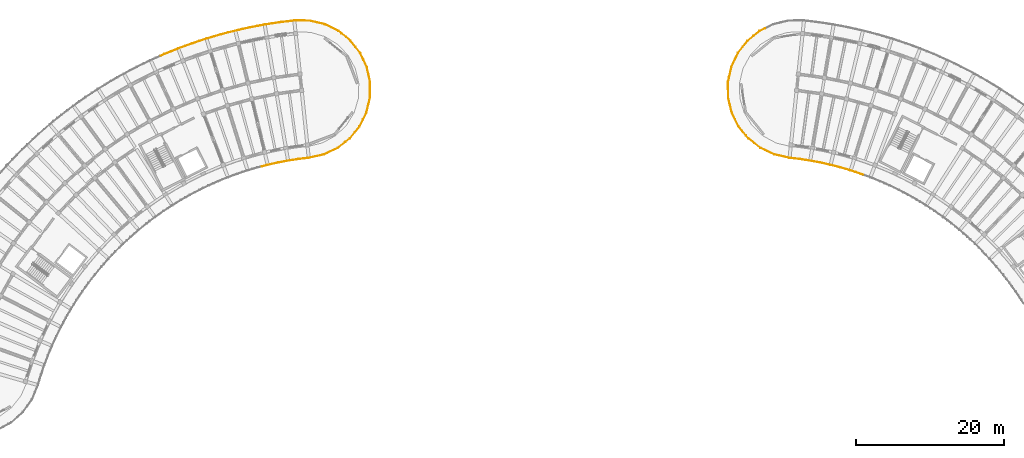
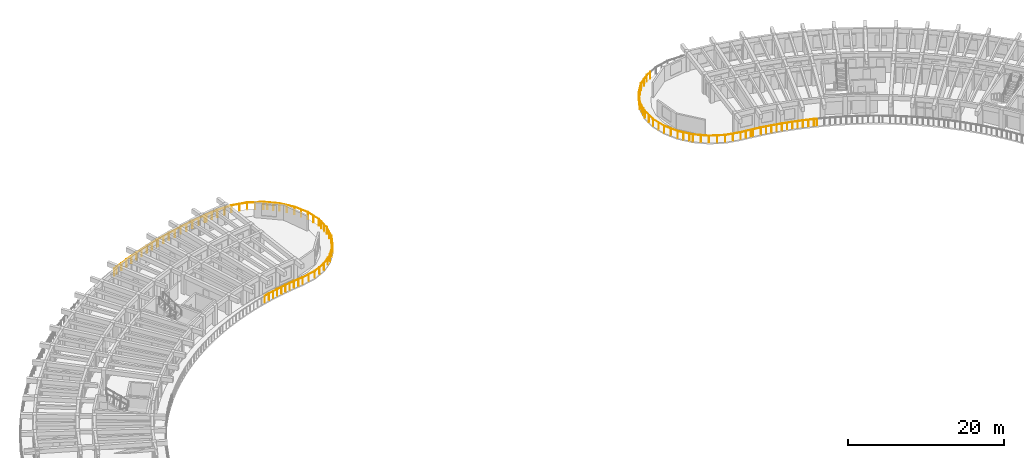
# One storey, part 73 of 81: 11 railings.
"""IFC4 building model written with IfcOpenShell, lengths in metres."""

from ifc_helpers import new_model, si_unit, direction, frame, origin, origin_2d, place, context, subcontext, project, spatial, circle, extrude, material, type_object, element, save


model = new_model("IFC4")

# Units and contexts
model_context = context("Model", 3, precision=1e-05, world=origin(), true_north=direction((0.0, 1.0)))
body_context = subcontext(model_context, "Body", "Model", "MODEL_VIEW")
ifc_project = project(units=[si_unit("LENGTHUNIT", "METRE"), si_unit("AREAUNIT", "SQUARE_METRE"), si_unit("VOLUMEUNIT", "CUBIC_METRE"), si_unit("PLANEANGLEUNIT", "RADIAN"), si_unit("MASSUNIT", "GRAM", prefix="KILO")], contexts=[model_context])

# Site, building, storey
site_placement = place(None, origin())
site = spatial("IfcSite", under=ifc_project, at=site_placement, CompositionType="ELEMENT")
building_placement = place(site_placement, origin())
building = spatial("IfcBuilding", under=site, at=building_placement, Name="Tanwirah Colonnade Gardens", CompositionType="ELEMENT")
storey_placement = place(building_placement, frame((0.0, 0.0, 18.919921875)))
storey = spatial("IfcBuildingStorey", under=building, at=storey_placement, Name="L05", CompositionType="ELEMENT", Elevation=18.919921875)

# Railings
ifc_material = material(Name="Precast concrete C40/50", Category="concrete")
railing_type = type_object("IfcRailingType", Name="BAL-EXT112", PredefinedType="BALUSTRADE", material=ifc_material)
railing_1_placement = place(storey_placement, frame((62.57666015625, 103.095947265625, 0.0)))
element("IfcRailing", 1, at=railing_1_placement, inside=storey, type_object=railing_type, Name="Block A L05 Balcony Ribbon Balustrade 1", PredefinedType="BALUSTRADE", context=body_context, shape_type="SweptSolid", body=[
    extrude(circle(Radius=0.02392578125, at=origin_2d()), frame((-0.030517578125, -0.0068359375, 1.09619140625), z_axis=(-0.976545428659, -0.215311462222, 0.0), x_axis=(0.215311462222, -0.976545428659, 0.0)), (0.0, 0.0, 1.0), 2.029541015625),
    extrude(circle(Radius=0.02392578125, at=origin_2d()), frame((-2.073974609375, -0.4541015625, 1.09619140625), z_axis=(-0.99267751715, -0.120794647829, 0.0), x_axis=(0.120794647829, -0.99267751715, 0.0)), (0.0, 0.0, 1.0), 1.338134765625),
    extrude(circle(Radius=0.02392578125, at=origin_2d()), frame((-3.466796875, -0.625, 1.09619140625), z_axis=(-0.988147546762, -0.153507087226, 0.0), x_axis=(0.153507087226, -0.988147546762, 0.0)), (0.0, 0.0, 1.0), 1.341796875),
    extrude(circle(Radius=0.02392578125, at=origin_2d()), frame((-4.85693359375, -0.842041015625, 1.09619140625), z_axis=(-0.982547926195, -0.186009603862, 0.0), x_axis=(0.186009603862, -0.982547926195, 0.0)), (0.0, 0.0, 1.0), 1.341796875),
    extrude(circle(Radius=0.02392578125, at=origin_2d()), frame((-6.239013671875, -1.104736328125, 1.09619140625), z_axis=(-0.975875211082, -0.218329046156, 0.0), x_axis=(0.218329046156, -0.975875211082, 0.0)), (0.0, 0.0, 1.0), 1.342041015625),
    extrude(circle(Radius=0.02392578125, at=origin_2d()), frame((-7.61181640625, -1.4130859375, 1.09619140625), z_axis=(-0.968150815957, -0.25036772468, 0.0), x_axis=(0.25036772468, -0.968150815957, 0.0)), (0.0, 0.0, 1.0), 0.721435546875),
    extrude(circle(Radius=0.02099609375, at=origin_2d()), origin(), (0.0, 0.0, 1.0), 1.069091796875),
    extrude(circle(Radius=0.02099609375, at=origin_2d()), frame((-1.021484375, -0.22509765625, 0.0)), (0.0, 0.0, 1.0), 1.069091796875),
    extrude(circle(Radius=0.02099609375, at=origin_2d()), frame((-2.04296875, -0.450439453125, 0.0)), (0.0, 0.0, 1.0), 1.069091796875),
    extrude(circle(Radius=0.02099609375, at=origin_2d()), frame((-2.73828125, -0.53515625, 0.0)), (0.0, 0.0, 1.0), 1.069091796875),
    extrude(circle(Radius=0.02099609375, at=origin_2d()), frame((-3.433349609375, -0.61962890625, 0.0)), (0.0, 0.0, 1.0), 1.069091796875),
    extrude(circle(Radius=0.02099609375, at=origin_2d()), frame((-4.129638671875, -0.72802734375, 0.0)), (0.0, 0.0, 1.0), 1.069091796875),
    extrude(circle(Radius=0.02099609375, at=origin_2d()), frame((-4.823486328125, -0.835693359375, 0.0)), (0.0, 0.0, 1.0), 1.069091796875),
    extrude(circle(Radius=0.02099609375, at=origin_2d()), frame((-5.51611328125, -0.966796875, 0.0)), (0.0, 0.0, 1.0), 1.069091796875),
    extrude(circle(Radius=0.02099609375, at=origin_2d()), frame((-6.2060546875, -1.097412109375, 0.0)), (0.0, 0.0, 1.0), 1.069091796875),
    extrude(circle(Radius=0.02099609375, at=origin_2d()), frame((-6.893798828125, -1.251220703125, 0.0)), (0.0, 0.0, 1.0), 1.069091796875),
    extrude(circle(Radius=0.02099609375, at=origin_2d()), frame((-7.5791015625, -1.404541015625, 0.0)), (0.0, 0.0, 1.0), 1.069091796875),
    extrude(circle(Radius=0.02099609375, at=origin_2d()), frame((-8.340576171875, -1.6015625, 0.0)), (0.0, 0.0, 1.0), 1.069091796875),
])
railing_2_placement = place(storey_placement, frame((40.5517578125, 116.428466796875, 0.0)))
element("IfcRailing", 2, at=railing_2_placement, inside=storey, type_object=railing_type, Name="Block A L05 Balcony Ribbon Balustrade 17", PredefinedType="BALUSTRADE", context=body_context, shape_type="SweptSolid", body=[
    extrude(circle(Radius=0.02392578125, at=origin_2d()), frame((0.028564453125, 0.0126953125, 1.09619140625), z_axis=(0.914037447664, 0.405629811857, 0.0), x_axis=(-0.405629811857, 0.914037447664, 0.0)), (0.0, 0.0, 1.0), 0.471923828125),
    extrude(circle(Radius=0.02392578125, at=origin_2d()), frame((0.517578125, 0.228515625, 1.09619140625), z_axis=(0.926784720453, 0.375592973757, 0.0), x_axis=(-0.375592973757, 0.926784720453, 0.0)), (0.0, 0.0, 1.0), 1.958984375),
    extrude(circle(Radius=0.02392578125, at=origin_2d()), frame((2.391357421875, 0.98681640625, 1.09619140625), z_axis=(0.938723993457, 0.344669789956, 0.0), x_axis=(-0.344669789956, 0.938723993457, 0.0)), (0.0, 0.0, 1.0), 1.958984375),
    extrude(circle(Radius=0.02392578125, at=origin_2d()), frame((4.28955078125, 1.6826171875, 1.09619140625), z_axis=(0.949537316482, 0.313654084317, 0.0), x_axis=(-0.313654084317, 0.949537316482, 0.0)), (0.0, 0.0, 1.0), 1.958984375),
    extrude(circle(Radius=0.02392578125, at=origin_2d()), frame((6.209228515625, 2.315673828125, 1.09619140625), z_axis=(0.9593675466, 0.282159370801, 0.0), x_axis=(-0.282159370801, 0.9593675466, 0.0)), (0.0, 0.0, 1.0), 1.83837890625),
    extrude(circle(Radius=0.02099609375, at=origin_2d()), origin(), (0.0, 0.0, 1.0), 1.069091796875),
    extrude(circle(Radius=0.02099609375, at=origin_2d()), frame((0.488525390625, 0.216796875, 0.0)), (0.0, 0.0, 1.0), 1.069091796875),
    extrude(circle(Radius=0.02099609375, at=origin_2d()), frame((1.42529296875, 0.596435546875, 0.0)), (0.0, 0.0, 1.0), 1.069091796875),
    extrude(circle(Radius=0.02099609375, at=origin_2d()), frame((2.362060546875, 0.97607421875, 0.0)), (0.0, 0.0, 1.0), 1.069091796875),
    extrude(circle(Radius=0.02099609375, at=origin_2d()), frame((3.31103515625, 1.324462890625, 0.0)), (0.0, 0.0, 1.0), 1.069091796875),
    extrude(circle(Radius=0.02099609375, at=origin_2d()), frame((4.259765625, 1.6728515625, 0.0)), (0.0, 0.0, 1.0), 1.069091796875),
    extrude(circle(Radius=0.02099609375, at=origin_2d()), frame((5.219482421875, 1.98974609375, 0.0)), (0.0, 0.0, 1.0), 1.069091796875),
    extrude(circle(Radius=0.02099609375, at=origin_2d()), frame((6.17919921875, 2.306884765625, 0.0)), (0.0, 0.0, 1.0), 1.069091796875),
    extrude(circle(Radius=0.02099609375, at=origin_2d()), frame((7.091064453125, 2.5751953125, 0.0)), (0.0, 0.0, 1.0), 1.069091796875),
    extrude(circle(Radius=0.02099609375, at=origin_2d()), frame((8.0029296875, 2.84326171875, 0.0)), (0.0, 0.0, 1.0), 1.069091796875),
])
railing_3_placement = place(storey_placement, frame((48.5546875, 119.271728515625, 0.0)))
element("IfcRailing", 3, at=railing_3_placement, inside=storey, type_object=railing_type, Name="Block A L05 Balcony Ribbon Balustrade 18", PredefinedType="BALUSTRADE", context=body_context, shape_type="SweptSolid", body=[
    extrude(circle(Radius=0.02392578125, at=origin_2d()), frame((0.030029296875, 0.0087890625, 1.09619140625), z_axis=(0.959430074946, 0.281946681644, 0.0), x_axis=(-0.281946681644, 0.959430074946, 0.0)), (0.0, 0.0, 1.0), 0.057861328125),
    extrude(circle(Radius=0.02392578125, at=origin_2d()), frame((0.145751953125, 0.041748046875, 1.09619140625), z_axis=(0.968157509899, 0.250341838346, 0.0), x_axis=(-0.250341838346, 0.968157509899, 0.0)), (0.0, 0.0, 1.0), 1.959228515625),
    extrude(circle(Radius=0.02392578125, at=origin_2d()), frame((2.103271484375, 0.546875, 1.09619140625), z_axis=(0.975867729966, 0.218362482151, 0.0), x_axis=(-0.218362482151, 0.975867729966, 0.0)), (0.0, 0.0, 1.0), 1.958984375),
    extrude(circle(Radius=0.02392578125, at=origin_2d()), frame((4.076171875, 0.9873046875, 1.09619140625), z_axis=(0.982549371225, 0.186001970705, 0.0), x_axis=(-0.186001970705, 0.982549371225, 0.0)), (0.0, 0.0, 1.0), 1.958740234375),
    extrude(circle(Radius=0.02392578125, at=origin_2d()), frame((6.0625, 1.3623046875, 1.09619140625), z_axis=(0.988130323653, 0.153617913919, 0.0), x_axis=(-0.153617913919, 0.988130323653, 0.0)), (0.0, 0.0, 1.0), 1.958984375),
    extrude(circle(Radius=0.02392578125, at=origin_2d()), frame((8.06005859375, 1.671630859375, 1.09619140625), z_axis=(0.992706670136, 0.120554830125, 0.0), x_axis=(-0.120554830125, 0.992706670136, 0.0)), (0.0, 0.0, 1.0), 0.231201171875),
    extrude(circle(Radius=0.02099609375, at=origin_2d()), origin(), (0.0, 0.0, 1.0), 1.069091796875),
    extrude(circle(Radius=0.02099609375, at=origin_2d()), frame((0.115478515625, 0.033935546875, 0.0)), (0.0, 0.0, 1.0), 1.069091796875),
    extrude(circle(Radius=0.02099609375, at=origin_2d()), frame((1.09423828125, 0.287109375, 0.0)), (0.0, 0.0, 1.0), 1.069091796875),
    extrude(circle(Radius=0.02099609375, at=origin_2d()), frame((2.07275390625, 0.5400390625, 0.0)), (0.0, 0.0, 1.0), 1.069091796875),
    extrude(circle(Radius=0.02099609375, at=origin_2d()), frame((3.05908203125, 0.7607421875, 0.0)), (0.0, 0.0, 1.0), 1.069091796875),
    extrude(circle(Radius=0.02099609375, at=origin_2d()), frame((4.04541015625, 0.9814453125, 0.0)), (0.0, 0.0, 1.0), 1.069091796875),
    extrude(circle(Radius=0.02099609375, at=origin_2d()), frame((5.03857421875, 1.16943359375, 0.0)), (0.0, 0.0, 1.0), 1.069091796875),
    extrude(circle(Radius=0.02099609375, at=origin_2d()), frame((6.031494140625, 1.357421875, 0.0)), (0.0, 0.0, 1.0), 1.069091796875),
    extrude(circle(Radius=0.02099609375, at=origin_2d()), frame((7.0302734375, 1.5126953125, 0.0)), (0.0, 0.0, 1.0), 1.069091796875),
    extrude(circle(Radius=0.02099609375, at=origin_2d()), frame((8.029052734375, 1.66796875, 0.0)), (0.0, 0.0, 1.0), 1.069091796875),
    extrude(circle(Radius=0.02099609375, at=origin_2d()), frame((8.320556640625, 1.703369140625, 0.0)), (0.0, 0.0, 1.0), 1.069091796875),
])
railing_4_placement = place(storey_placement, frame((56.875244140625, 120.97509765625, 0.0)))
element("IfcRailing", 4, at=railing_4_placement, inside=storey, type_object=railing_type, Name="Block A L05 Balcony Ribbon Balustrade 19", PredefinedType="BALUSTRADE", context=body_context, shape_type="SweptSolid", body=[
    extrude(circle(Radius=0.02392578125, at=origin_2d()), frame((0.031005859375, 0.003662109375, 1.09619140625), z_axis=(0.992658739514, 0.120948860543, 0.0), x_axis=(-0.120948860543, 0.992658739514, 0.0)), (0.0, 0.0, 1.0), 1.661376953125),
    extrude(circle(Radius=0.02392578125, at=origin_2d()), frame((1.742431640625, 0.208251953125, 1.09619140625), z_axis=(0.999972077233, -0.00747293472, 0.0), x_axis=(0.00747293472, 0.999972077233, 0.0)), (0.0, 0.0, 1.0), 2.0283203125),
    extrude(circle(Radius=0.02392578125, at=origin_2d()), frame((3.83251953125, 0.185791015625, 1.09619140625), z_axis=(0.973245052386, -0.229769597654, 0.0), x_axis=(0.229769597654, 0.973245052386, 0.0)), (0.0, 0.0, 1.0), 2.0244140625),
    extrude(circle(Radius=0.02392578125, at=origin_2d()), frame((5.861083984375, -0.30029296875, 1.09619140625), z_axis=(0.89767854763, -0.440650910727, 0.0), x_axis=(0.440650910727, 0.89767854763, 0.0)), (0.0, 0.0, 1.0), 2.024658203125),
    extrude(circle(Radius=0.02392578125, at=origin_2d()), frame((7.73095703125, -1.22607421875, 1.09619140625), z_axis=(0.777222634712, -0.62922569567, 0.0), x_axis=(0.62922569567, 0.777222634712, 0.0)), (0.0, 0.0, 1.0), 0.448974609375),
    extrude(circle(Radius=0.02099609375, at=origin_2d()), origin(), (0.0, 0.0, 1.0), 1.069091796875),
    extrude(circle(Radius=0.02099609375, at=origin_2d()), frame((0.85546875, 0.104248046875, 0.0)), (0.0, 0.0, 1.0), 1.069091796875),
    extrude(circle(Radius=0.02099609375, at=origin_2d()), frame((1.711181640625, 0.20849609375, 0.0)), (0.0, 0.0, 1.0), 1.069091796875),
    extrude(circle(Radius=0.02099609375, at=origin_2d()), frame((2.756591796875, 0.20068359375, 0.0)), (0.0, 0.0, 1.0), 1.069091796875),
    extrude(circle(Radius=0.02099609375, at=origin_2d()), frame((3.802001953125, 0.19287109375, 0.0)), (0.0, 0.0, 1.0), 1.069091796875),
    extrude(circle(Radius=0.02099609375, at=origin_2d()), frame((4.8173828125, -0.046875, 0.0)), (0.0, 0.0, 1.0), 1.069091796875),
    extrude(circle(Radius=0.02099609375, at=origin_2d()), frame((5.8330078125, -0.28662109375, 0.0)), (0.0, 0.0, 1.0), 1.069091796875),
    extrude(circle(Radius=0.02099609375, at=origin_2d()), frame((6.769775390625, -0.74658203125, 0.0)), (0.0, 0.0, 1.0), 1.069091796875),
    extrude(circle(Radius=0.02099609375, at=origin_2d()), frame((7.70654296875, -1.206298828125, 0.0)), (0.0, 0.0, 1.0), 1.069091796875),
    extrude(circle(Radius=0.02099609375, at=origin_2d()), frame((8.10400390625, -1.528076171875, 0.0)), (0.0, 0.0, 1.0), 1.069091796875),
])
railing_5_placement = place(storey_placement, frame((64.979248046875, 119.447021484375, 0.0)))
element("IfcRailing", 5, at=railing_5_placement, inside=storey, type_object=railing_type, Name="Block A L05 Balcony Ribbon Balustrade 20", PredefinedType="BALUSTRADE", context=body_context, shape_type="SweptSolid", body=[
    extrude(circle(Radius=0.02392578125, at=origin_2d()), frame((0.0244140625, -0.019775390625, 1.09619140625), z_axis=(0.777151033754, -0.629314127233, 0.0), x_axis=(0.629314127233, 0.777151033754, 0.0)), (0.0, 0.0, 1.0), 1.512939453125),
    extrude(circle(Radius=0.02392578125, at=origin_2d()), frame((1.24365234375, -1.01611328125, 1.09619140625), z_axis=(0.617578689713, -0.786509098493, 0.0), x_axis=(0.786509098493, 0.617578689713, 0.0)), (0.0, 0.0, 1.0), 2.0244140625),
    extrude(circle(Radius=0.02392578125, at=origin_2d()), frame((2.526611328125, -2.6611328125, 1.09619140625), z_axis=(0.427120558346, -0.904194685142, 0.0), x_axis=(0.904194685142, 0.427120558346, 0.0)), (0.0, 0.0, 1.0), 2.0244140625),
    extrude(circle(Radius=0.02392578125, at=origin_2d()), frame((3.411376953125, -4.55029296875, 1.09619140625), z_axis=(0.215270196259, -0.97655452618, 0.0), x_axis=(0.97655452618, 0.215270196259, 0.0)), (0.0, 0.0, 1.0), 2.024169921875),
    extrude(circle(Radius=0.02392578125, at=origin_2d()), frame((3.853515625, -6.5888671875, 1.09619140625), z_axis=(-0.007720358143, -0.999970197591, 0.0), x_axis=(0.999970197591, -0.007720358143, 0.0)), (0.0, 0.0, 1.0), 0.6015625),
    extrude(circle(Radius=0.02099609375, at=origin_2d()), origin(), (0.0, 0.0, 1.0), 1.069091796875),
    extrude(circle(Radius=0.02099609375, at=origin_2d()), frame((0.6123046875, -0.49560546875, 0.0)), (0.0, 0.0, 1.0), 1.069091796875),
    extrude(circle(Radius=0.02099609375, at=origin_2d()), frame((1.224365234375, -0.991455078125, 0.0)), (0.0, 0.0, 1.0), 1.069091796875),
    extrude(circle(Radius=0.02099609375, at=origin_2d()), frame((1.86865234375, -1.81201171875, 0.0)), (0.0, 0.0, 1.0), 1.069091796875),
    extrude(circle(Radius=0.02099609375, at=origin_2d()), frame((2.51318359375, -2.6328125, 0.0)), (0.0, 0.0, 1.0), 1.069091796875),
    extrude(circle(Radius=0.02099609375, at=origin_2d()), frame((2.958984375, -3.576171875, 0.0)), (0.0, 0.0, 1.0), 1.069091796875),
    extrude(circle(Radius=0.02099609375, at=origin_2d()), frame((3.404541015625, -4.519775390625, 0.0)), (0.0, 0.0, 1.0), 1.069091796875),
    extrude(circle(Radius=0.02099609375, at=origin_2d()), frame((3.629150390625, -5.53857421875, 0.0)), (0.0, 0.0, 1.0), 1.069091796875),
    extrude(circle(Radius=0.02099609375, at=origin_2d()), frame((3.853759765625, -6.5576171875, 0.0)), (0.0, 0.0, 1.0), 1.069091796875),
    extrude(circle(Radius=0.02099609375, at=origin_2d()), frame((3.8486328125, -7.2216796875, 0.0)), (0.0, 0.0, 1.0), 1.069091796875),
])
railing_6_placement = place(storey_placement, frame((68.827880859375, 112.225341796875, 0.0)))
element("IfcRailing", 6, at=railing_6_placement, inside=storey, type_object=railing_type, Name="Block A L05 Balcony Ribbon Balustrade 21", PredefinedType="BALUSTRADE", context=body_context, shape_type="SweptSolid", body=[
    extrude(circle(Radius=0.02392578125, at=origin_2d()), frame((-0.000244140625, -0.03125, 1.09619140625), z_axis=(-0.007377973514, -0.999972782383, 0.0), x_axis=(0.999972782383, -0.007377973514, 0.0)), (0.0, 0.0, 1.0), 1.3603515625),
    extrude(circle(Radius=0.02392578125, at=origin_2d()), frame((-0.017578125, -1.453369140625, 1.09619140625), z_axis=(-0.229769597654, -0.973245052386, 0.0), x_axis=(0.973245052386, -0.229769597654, 0.0)), (0.0, 0.0, 1.0), 2.0244140625),
    extrude(circle(Radius=0.02392578125, at=origin_2d()), frame((-0.503662109375, -3.48193359375, 1.09619140625), z_axis=(-0.440650910727, -0.89767854763, 0.0), x_axis=(0.89767854763, -0.440650910727, 0.0)), (0.0, 0.0, 1.0), 2.024658203125),
    extrude(circle(Radius=0.02392578125, at=origin_2d()), frame((-1.429443359375, -5.351806640625, 1.09619140625), z_axis=(-0.629292457571, -0.777168580711, 0.0), x_axis=(0.777168580711, -0.629292457571, 0.0)), (0.0, 0.0, 1.0), 2.0244140625),
    extrude(circle(Radius=0.02392578125, at=origin_2d()), frame((-2.74755859375, -6.968505859375, 1.09619140625), z_axis=(-0.786525843464, -0.617557363784, 0.0), x_axis=(0.617557363784, -0.786525843464, 0.0)), (0.0, 0.0, 1.0), 0.75390625),
    extrude(circle(Radius=0.02099609375, at=origin_2d()), origin(), (0.0, 0.0, 1.0), 1.069091796875),
    extrude(circle(Radius=0.02099609375, at=origin_2d()), frame((-0.00537109375, -0.71142578125, 0.0)), (0.0, 0.0, 1.0), 1.069091796875),
    extrude(circle(Radius=0.02099609375, at=origin_2d()), frame((-0.010498046875, -1.4228515625, 0.0)), (0.0, 0.0, 1.0), 1.069091796875),
    extrude(circle(Radius=0.02099609375, at=origin_2d()), frame((-0.250244140625, -2.4384765625, 0.0)), (0.0, 0.0, 1.0), 1.069091796875),
    extrude(circle(Radius=0.02099609375, at=origin_2d()), frame((-0.489990234375, -3.453857421875, 0.0)), (0.0, 0.0, 1.0), 1.069091796875),
    extrude(circle(Radius=0.02099609375, at=origin_2d()), frame((-0.94970703125, -4.390625, 0.0)), (0.0, 0.0, 1.0), 1.069091796875),
    extrude(circle(Radius=0.02099609375, at=origin_2d()), frame((-1.40966796875, -5.327392578125, 0.0)), (0.0, 0.0, 1.0), 1.069091796875),
    extrude(circle(Radius=0.02099609375, at=origin_2d()), frame((-2.06640625, -6.13818359375, 0.0)), (0.0, 0.0, 1.0), 1.069091796875),
    extrude(circle(Radius=0.02099609375, at=origin_2d()), frame((-2.722900390625, -6.94921875, 0.0)), (0.0, 0.0, 1.0), 1.069091796875),
    extrude(circle(Radius=0.02099609375, at=origin_2d()), frame((-3.364990234375, -7.453369140625, 0.0)), (0.0, 0.0, 1.0), 1.069091796875),
])
railing_7_placement = place(storey_placement, frame((65.462890625, 104.77197265625, 0.0)))
element("IfcRailing", 7, at=railing_7_placement, inside=storey, type_object=railing_type, Name="Block A L05 Balcony Ribbon Balustrade 22", PredefinedType="BALUSTRADE", context=body_context, shape_type="SweptSolid", body=[
    extrude(circle(Radius=0.02392578125, at=origin_2d()), frame((-0.024658203125, -0.019287109375, 1.09619140625), z_axis=(-0.786498338908, -0.617592392194, 0.0), x_axis=(0.617592392194, -0.786498338908, 0.0)), (0.0, 0.0, 1.0), 1.2080078125),
    extrude(circle(Radius=0.02392578125, at=origin_2d()), frame((-1.027587890625, -0.798095703125, 1.09619140625), z_axis=(-0.904194685142, -0.427120558346, 0.0), x_axis=(0.427120558346, -0.904194685142, 0.0)), (0.0, 0.0, 1.0), 2.0244140625),
    extrude(circle(Radius=0.02099609375, at=origin_2d()), origin(), (0.0, 0.0, 1.0), 1.069091796875),
    extrude(circle(Radius=0.02099609375, at=origin_2d()), frame((-0.999267578125, -0.78466796875, 0.0)), (0.0, 0.0, 1.0), 1.069091796875),
    extrude(circle(Radius=0.02099609375, at=origin_2d()), frame((-1.94287109375, -1.23046875, 0.0)), (0.0, 0.0, 1.0), 1.069091796875),
    extrude(circle(Radius=0.02099609375, at=origin_2d()), frame((-2.88623046875, -1.676025390625, 0.0)), (0.0, 0.0, 1.0), 1.069091796875),
])
railing_8_placement = place(storey_placement, frame((135.417236328125, 100.3662109375, 0.0)))
element("IfcRailing", 8, at=railing_8_placement, inside=storey, type_object=railing_type, Name="Block B L05 Balcony Ribbon Balustrade 6", PredefinedType="BALUSTRADE", context=body_context, shape_type="SweptSolid", body=[
    extrude(circle(Radius=0.02392578125, at=origin_2d()), frame((-0.029296875, 0.0107421875, 1.09619140625), z_axis=(-0.938686381743, 0.344772209916, 0.0), x_axis=(-0.344772209916, -0.938686381743, 0.0)), (0.0, 0.0, 1.0), 0.325439453125),
    extrude(circle(Radius=0.02392578125, at=origin_2d()), frame((-0.396728515625, 0.14453125, 1.09619140625), z_axis=(-0.949531842797, 0.313670654533, 0.0), x_axis=(-0.313670654533, -0.949531842797, 0.0)), (0.0, 0.0, 1.0), 1.341552734375),
    extrude(circle(Radius=0.02392578125, at=origin_2d()), frame((-1.73291015625, 0.584716796875, 1.09619140625), z_axis=(-0.959362733044, 0.282175736812, 0.0), x_axis=(-0.282175736812, -0.959362733044, 0.0)), (0.0, 0.0, 1.0), 1.341796875),
    extrude(circle(Radius=0.02392578125, at=origin_2d()), frame((-3.0830078125, 0.980712890625, 1.09619140625), z_axis=(-0.968157809477, 0.250340679771, 0.0), x_axis=(-0.250340679771, -0.968157809477, 0.0)), (0.0, 0.0, 1.0), 1.341796875),
    extrude(circle(Radius=0.02392578125, at=origin_2d()), frame((-4.4453125, 1.33203125, 1.09619140625), z_axis=(-0.975875211082, 0.218329046156, 0.0), x_axis=(-0.218329046156, -0.975875211082, 0.0)), (0.0, 0.0, 1.0), 1.342041015625),
    extrude(circle(Radius=0.02392578125, at=origin_2d()), frame((-5.818603515625, 1.63818359375, 1.09619140625), z_axis=(-0.982547926195, 0.186009603862, 0.0), x_axis=(-0.186009603862, -0.982547926195, 0.0)), (0.0, 0.0, 1.0), 1.341796875),
    extrude(circle(Radius=0.02392578125, at=origin_2d()), frame((-7.201416015625, 1.89892578125, 1.09619140625), z_axis=(-0.988128738312, 0.153628111108, 0.0), x_axis=(-0.153628111108, -0.988128738312, 0.0)), (0.0, 0.0, 1.0), 1.01171875),
    extrude(circle(Radius=0.02099609375, at=origin_2d()), origin(), (0.0, 0.0, 1.0), 1.069091796875),
    extrude(circle(Radius=0.02099609375, at=origin_2d()), frame((-0.3642578125, 0.1337890625, 0.0)), (0.0, 0.0, 1.0), 1.069091796875),
    extrude(circle(Radius=0.02099609375, at=origin_2d()), frame((-1.03369140625, 0.35498046875, 0.0)), (0.0, 0.0, 1.0), 1.069091796875),
    extrude(circle(Radius=0.02099609375, at=origin_2d()), frame((-1.7001953125, 0.5751953125, 0.0)), (0.0, 0.0, 1.0), 1.069091796875),
    extrude(circle(Radius=0.02099609375, at=origin_2d()), frame((-2.37646484375, 0.77392578125, 0.0)), (0.0, 0.0, 1.0), 1.069091796875),
    extrude(circle(Radius=0.02099609375, at=origin_2d()), frame((-3.050048828125, 0.97216796875, 0.0)), (0.0, 0.0, 1.0), 1.069091796875),
    extrude(circle(Radius=0.02099609375, at=origin_2d()), frame((-3.732421875, 1.148681640625, 0.0)), (0.0, 0.0, 1.0), 1.069091796875),
    extrude(circle(Radius=0.02099609375, at=origin_2d()), frame((-4.412353515625, 1.324462890625, 0.0)), (0.0, 0.0, 1.0), 1.069091796875),
    extrude(circle(Radius=0.02099609375, at=origin_2d()), frame((-5.10009765625, 1.478515625, 0.0)), (0.0, 0.0, 1.0), 1.069091796875),
    extrude(circle(Radius=0.02099609375, at=origin_2d()), frame((-5.785400390625, 1.6318359375, 0.0)), (0.0, 0.0, 1.0), 1.069091796875),
    extrude(circle(Radius=0.02099609375, at=origin_2d()), frame((-6.477783203125, 1.762939453125, 0.0)), (0.0, 0.0, 1.0), 1.069091796875),
    extrude(circle(Radius=0.02099609375, at=origin_2d()), frame((-7.167724609375, 1.8935546875, 0.0)), (0.0, 0.0, 1.0), 1.069091796875),
    extrude(circle(Radius=0.02099609375, at=origin_2d()), frame((-8.23193359375, 2.05908203125, 0.0)), (0.0, 0.0, 1.0), 1.069091796875),
])
railing_9_placement = place(storey_placement, frame((127.185302734375, 102.42529296875, 0.0)))
element("IfcRailing", 9, at=railing_9_placement, inside=storey, type_object=railing_type, Name="Block B L05 Balcony Ribbon Balustrade 7", PredefinedType="BALUSTRADE", context=body_context, shape_type="SweptSolid", body=[
    extrude(circle(Radius=0.02392578125, at=origin_2d()), frame((-0.031005859375, 0.0048828125, 1.09619140625), z_axis=(-0.988208661011, 0.153113168285, 0.0), x_axis=(-0.153113168285, -0.988208661011, 0.0)), (0.0, 0.0, 1.0), 0.267578125),
    extrude(circle(Radius=0.02392578125, at=origin_2d()), frame((-0.359619140625, 0.0546875, 1.09619140625), z_axis=(-0.99267751715, 0.120794647829, 0.0), x_axis=(-0.120794647829, -0.99267751715, 0.0)), (0.0, 0.0, 1.0), 1.338134765625),
    extrude(circle(Radius=0.02392578125, at=origin_2d()), frame((-1.74951171875, 0.22705078125, 1.09619140625), z_axis=(-0.976545428659, 0.215311462222, 0.0), x_axis=(-0.215311462222, -0.976545428659, 0.0)), (0.0, 0.0, 1.0), 2.029541015625),
    extrude(circle(Radius=0.02392578125, at=origin_2d()), frame((-3.790283203125, 0.68408203125, 1.09619140625), z_axis=(-0.904194685142, 0.427120558346, 0.0), x_axis=(-0.427120558346, -0.904194685142, 0.0)), (0.0, 0.0, 1.0), 2.0244140625),
    extrude(circle(Radius=0.02392578125, at=origin_2d()), frame((-5.673583984375, 1.581298828125, 1.09619140625), z_axis=(-0.786509098493, 0.617578689713, 0.0), x_axis=(-0.617578689713, -0.786509098493, 0.0)), (0.0, 0.0, 1.0), 2.0244140625),
    extrude(circle(Radius=0.02392578125, at=origin_2d()), frame((-7.31005859375, 2.875244140625, 1.09619140625), z_axis=(-0.62914215078, 0.777290263744, 0.0), x_axis=(-0.777290263744, -0.62914215078, 0.0)), (0.0, 0.0, 1.0), 0.4384765625),
    extrude(circle(Radius=0.02099609375, at=origin_2d()), origin(), (0.0, 0.0, 1.0), 1.069091796875),
    extrude(circle(Radius=0.02099609375, at=origin_2d()), frame((-0.326171875, 0.050537109375, 0.0)), (0.0, 0.0, 1.0), 1.069091796875),
    extrude(circle(Radius=0.02099609375, at=origin_2d()), frame((-1.02392578125, 0.1357421875, 0.0)), (0.0, 0.0, 1.0), 1.069091796875),
    extrude(circle(Radius=0.02099609375, at=origin_2d()), frame((-1.718994140625, 0.22021484375, 0.0)), (0.0, 0.0, 1.0), 1.069091796875),
    extrude(circle(Radius=0.02099609375, at=origin_2d()), frame((-2.740478515625, 0.4453125, 0.0)), (0.0, 0.0, 1.0), 1.069091796875),
    extrude(circle(Radius=0.02099609375, at=origin_2d()), frame((-3.761962890625, 0.670654296875, 0.0)), (0.0, 0.0, 1.0), 1.069091796875),
    extrude(circle(Radius=0.02099609375, at=origin_2d()), frame((-4.70556640625, 1.1162109375, 0.0)), (0.0, 0.0, 1.0), 1.069091796875),
    extrude(circle(Radius=0.02099609375, at=origin_2d()), frame((-5.64892578125, 1.56201171875, 0.0)), (0.0, 0.0, 1.0), 1.069091796875),
    extrude(circle(Radius=0.02099609375, at=origin_2d()), frame((-6.4697265625, 2.20654296875, 0.0)), (0.0, 0.0, 1.0), 1.069091796875),
    extrude(circle(Radius=0.02099609375, at=origin_2d()), frame((-7.290283203125, 2.850830078125, 0.0)), (0.0, 0.0, 1.0), 1.069091796875),
    extrude(circle(Radius=0.02099609375, at=origin_2d()), frame((-7.60546875, 3.240234375, 0.0)), (0.0, 0.0, 1.0), 1.069091796875),
])
railing_10_placement = place(storey_placement, frame((119.579833984375, 105.66552734375, 0.0)))
element("IfcRailing", 10, at=railing_10_placement, inside=storey, type_object=railing_type, Name="Block B L05 Balcony Ribbon Balustrade 8", PredefinedType="BALUSTRADE", context=body_context, shape_type="SweptSolid", body=[
    extrude(circle(Radius=0.02392578125, at=origin_2d()), frame((-0.019775390625, 0.0244140625, 1.09619140625), z_axis=(-0.629339934839, 0.777130134801, 0.0), x_axis=(-0.777130134801, -0.629339934839, 0.0)), (0.0, 0.0, 1.0), 1.5234375),
    extrude(circle(Radius=0.02392578125, at=origin_2d()), frame((-1.01171875, 1.260498046875, 1.09619140625), z_axis=(-0.440650910727, 0.89767854763, 0.0), x_axis=(-0.89767854763, -0.440650910727, 0.0)), (0.0, 0.0, 1.0), 2.024658203125),
    extrude(circle(Radius=0.02392578125, at=origin_2d()), frame((-1.9248046875, 3.136474609375, 1.09619140625), z_axis=(-0.229769597654, 0.973245052386, 0.0), x_axis=(-0.973245052386, -0.229769597654, 0.0)), (0.0, 0.0, 1.0), 2.0244140625),
    extrude(circle(Radius=0.02392578125, at=origin_2d()), frame((-2.3974609375, 5.168212890625, 1.09619140625), z_axis=(-0.007486921648, 0.999971972609, 0.0), x_axis=(-0.999971972609, -0.007486921648, 0.0)), (0.0, 0.0, 1.0), 2.0244140625),
    extrude(circle(Radius=0.02392578125, at=origin_2d()), frame((-2.406005859375, 7.25439453125, 1.09619140625), z_axis=(0.215268146696, 0.97655497798, 0.0), x_axis=(-0.97655497798, 0.215268146696, 0.0)), (0.0, 0.0, 1.0), 0.5908203125),
    extrude(circle(Radius=0.02099609375, at=origin_2d()), origin(), (0.0, 0.0, 1.0), 1.069091796875),
    extrude(circle(Radius=0.02099609375, at=origin_2d()), frame((-0.4990234375, 0.6162109375, 0.0)), (0.0, 0.0, 1.0), 1.069091796875),
    extrude(circle(Radius=0.02099609375, at=origin_2d()), frame((-0.998046875, 1.232421875, 0.0)), (0.0, 0.0, 1.0), 1.069091796875),
    extrude(circle(Radius=0.02099609375, at=origin_2d()), frame((-1.4580078125, 2.169189453125, 0.0)), (0.0, 0.0, 1.0), 1.069091796875),
    extrude(circle(Radius=0.02099609375, at=origin_2d()), frame((-1.917724609375, 3.10595703125, 0.0)), (0.0, 0.0, 1.0), 1.069091796875),
    extrude(circle(Radius=0.02099609375, at=origin_2d()), frame((-2.157470703125, 4.12158203125, 0.0)), (0.0, 0.0, 1.0), 1.069091796875),
    extrude(circle(Radius=0.02099609375, at=origin_2d()), frame((-2.397216796875, 5.136962890625, 0.0)), (0.0, 0.0, 1.0), 1.069091796875),
    extrude(circle(Radius=0.02099609375, at=origin_2d()), frame((-2.405029296875, 6.180419921875, 0.0)), (0.0, 0.0, 1.0), 1.069091796875),
    extrude(circle(Radius=0.02099609375, at=origin_2d()), frame((-2.412841796875, 7.223876953125, 0.0)), (0.0, 0.0, 1.0), 1.069091796875),
    extrude(circle(Radius=0.02099609375, at=origin_2d()), frame((-2.272216796875, 7.86181640625, 0.0)), (0.0, 0.0, 1.0), 1.069091796875),
])
railing_11_placement = place(storey_placement, frame((117.3076171875, 113.52734375, 0.0)))
element("IfcRailing", 11, at=railing_11_placement, inside=storey, type_object=railing_type, Name="Block B L05 Balcony Ribbon Balustrade 9", PredefinedType="BALUSTRADE", context=body_context, shape_type="SweptSolid", body=[
    extrude(circle(Radius=0.02392578125, at=origin_2d()), frame((0.0068359375, 0.030517578125, 1.09619140625), z_axis=(0.215271130249, 0.976554320292, 0.0), x_axis=(-0.976554320292, 0.215271130249, 0.0)), (0.0, 0.0, 1.0), 1.37109375),
    extrude(circle(Radius=0.02392578125, at=origin_2d()), frame((0.322021484375, 1.42822265625, 1.09619140625), z_axis=(0.427120558346, 0.904194685142, 0.0), x_axis=(-0.904194685142, 0.427120558346, 0.0)), (0.0, 0.0, 1.0), 2.0244140625),
    extrude(circle(Radius=0.02392578125, at=origin_2d()), frame((1.21923828125, 3.3115234375, 1.09619140625), z_axis=(0.617578689713, 0.786509098493, 0.0), x_axis=(-0.786509098493, 0.617578689713, 0.0)), (0.0, 0.0, 1.0), 2.0244140625),
    extrude(circle(Radius=0.02392578125, at=origin_2d()), frame((2.51318359375, 4.947998046875, 1.09619140625), z_axis=(0.777168580711, 0.629292457571, 0.0), x_axis=(-0.629292457571, 0.777168580711, 0.0)), (0.0, 0.0, 1.0), 2.0244140625),
    extrude(circle(Radius=0.02392578125, at=origin_2d()), frame((4.138671875, 6.255126953125, 1.09619140625), z_axis=(0.897735153501, 0.440535576507, 0.0), x_axis=(-0.440535576507, 0.897735153501, 0.0)), (0.0, 0.0, 1.0), 0.7431640625),
    extrude(circle(Radius=0.02099609375, at=origin_2d()), origin(), (0.0, 0.0, 1.0), 1.069091796875),
    extrude(circle(Radius=0.02099609375, at=origin_2d()), frame((0.154296875, 0.699951171875, 0.0)), (0.0, 0.0, 1.0), 1.069091796875),
    extrude(circle(Radius=0.02099609375, at=origin_2d()), frame((0.30859375, 1.39990234375, 0.0)), (0.0, 0.0, 1.0), 1.069091796875),
    extrude(circle(Radius=0.02099609375, at=origin_2d()), frame((0.75439453125, 2.34326171875, 0.0)), (0.0, 0.0, 1.0), 1.069091796875),
    extrude(circle(Radius=0.02099609375, at=origin_2d()), frame((1.199951171875, 3.286865234375, 0.0)), (0.0, 0.0, 1.0), 1.069091796875),
    extrude(circle(Radius=0.02099609375, at=origin_2d()), frame((1.84423828125, 4.107421875, 0.0)), (0.0, 0.0, 1.0), 1.069091796875),
    extrude(circle(Radius=0.02099609375, at=origin_2d()), frame((2.48876953125, 4.92822265625, 0.0)), (0.0, 0.0, 1.0), 1.069091796875),
    extrude(circle(Radius=0.02099609375, at=origin_2d()), frame((3.2998046875, 5.5849609375, 0.0)), (0.0, 0.0, 1.0), 1.069091796875),
    extrude(circle(Radius=0.02099609375, at=origin_2d()), frame((4.110595703125, 6.241455078125, 0.0)), (0.0, 0.0, 1.0), 1.069091796875),
    extrude(circle(Radius=0.02099609375, at=origin_2d()), frame((4.833984375, 6.596435546875, 0.0)), (0.0, 0.0, 1.0), 1.069091796875),
])

save(model, "model.ifc")
